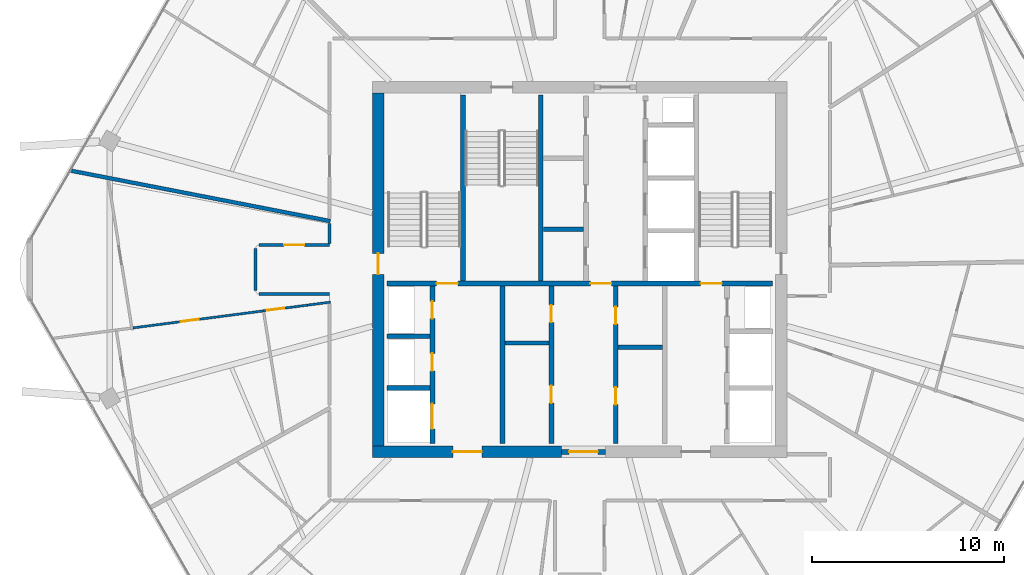
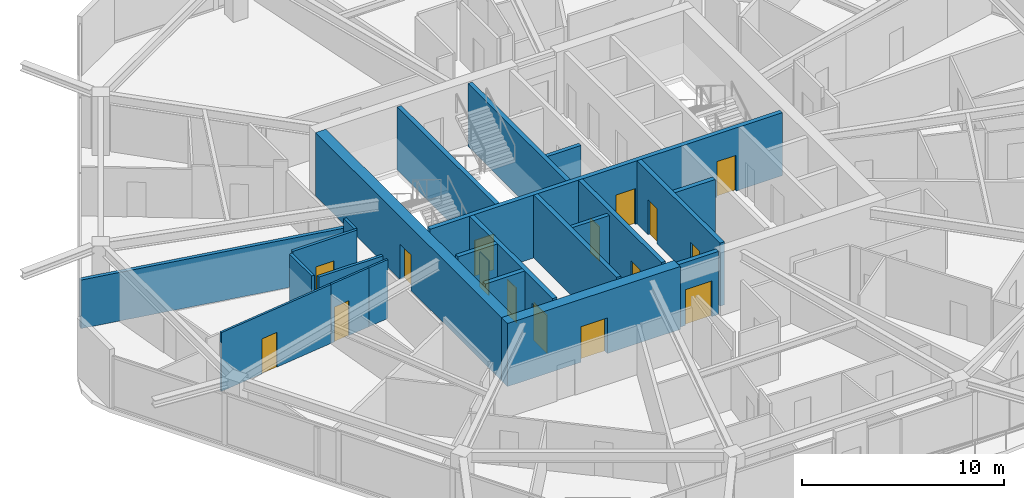
# One storey, part 20 of 26: 23 walls, 16 doors, 16 openings.
"""IFC4 building model written with IfcOpenShell, lengths in metres."""

import ifcopenshell
import ifcopenshell.guid

model = None  # the IFC model being written
_history = None  # IfcOwnerHistory: only IFC2X3 demands one
_inside = {}  # id of a spatial element -> (the spatial element, [elements in it])
_under = {}  # id of a project, library or spatial element -> (it, [spatial elements below it])
_declared = {}  # id of a project -> (the project, [libraries it declares])
_typed = {}  # id of a type object -> (the type object, [elements of that type])
_made_of = {}  # id of a material, layer set ... -> (it, [elements and type objects made of it])


def new_model(schema):
    """Start an empty IFC model of exactly this schema.

    Asked for "IFC4X3", IfcOpenShell would pick the latest addendum, in which some entities
    have other attributes; the version numbers below select the first issue.
    IFC2X3 requires an IfcOwnerHistory on every rooted entity: one is made here for all.
    """
    global model, _history
    if schema == "IFC4X3":
        model = ifcopenshell.file(schema_version=(4, 3, 0, 0))
    else:
        model = ifcopenshell.file(schema=schema)
    _inside.clear()
    _under.clear()
    _declared.clear()
    _typed.clear()
    _made_of.clear()
    _history = None
    if model.schema == "IFC2X3":
        org = make("IfcOrganization", Name="unknown")
        user = make(
            "IfcPersonAndOrganization",
            ThePerson=make("IfcPerson", FamilyName="unknown"),
            TheOrganization=org,
        )
        app = make(
            "IfcApplication",
            ApplicationDeveloper=org,
            Version="unknown",
            ApplicationFullName="unknown",
            ApplicationIdentifier="unknown",
        )
        _history = make(
            "IfcOwnerHistory",
            OwningUser=user,
            OwningApplication=app,
            ChangeAction="ADDED",
            CreationDate=0,
        )
    return model


def make(cls, **values):
    """One entity of the class cls with the attributes given. An attribute that is None is left unset."""
    return model.create_entity(
        cls, **{name: value for name, value in values.items() if value is not None}
    )


def rooted(cls, **values):
    """An entity with a GlobalId (a new one), such as an element, a storey or a relation."""
    return make(cls, GlobalId=ifcopenshell.guid.new(), OwnerHistory=_history, **values)


def si_unit(unit_type, name, prefix=None):
    """IfcSIUnit, for example si_unit("LENGTHUNIT", "METRE", prefix="MILLI")."""
    return make("IfcSIUnit", UnitType=unit_type, Prefix=prefix, Name=name)


def assignment(units):
    """IfcUnitAssignment: the units of a project."""
    return None if units is None else make("IfcUnitAssignment", Units=units)


def point(xyz):
    """IfcCartesianPoint."""
    return None if xyz is None else make("IfcCartesianPoint", Coordinates=xyz)


def direction(xyz):
    """IfcDirection."""
    return None if xyz is None else make("IfcDirection", DirectionRatios=xyz)


def frame(location, z_axis=None, x_axis=None):
    """IfcAxis2Placement3D, a coordinate frame: its origin and axes. An axis left out is left unset."""
    return make(
        "IfcAxis2Placement3D",
        Location=point(location),
        Axis=direction(z_axis),
        RefDirection=direction(x_axis),
    )


def frame_2d(location, x_axis=None):
    """IfcAxis2Placement2D, a coordinate frame in the plane: its origin and x axis."""
    return make(
        "IfcAxis2Placement2D", Location=point(location), RefDirection=direction(x_axis)
    )


def origin():
    """The frame at (0, 0, 0) with its axes left unset."""
    return frame((0.0, 0.0, 0.0))


def place(relative_to, where):
    """IfcLocalPlacement: puts the frame where relative to a parent placement (None: the world)."""
    return make(
        "IfcLocalPlacement", PlacementRelTo=relative_to, RelativePlacement=where
    )


def context(
    kind, dimensions, precision=None, world=None, true_north=None, identifier=None
):
    """IfcGeometricRepresentationContext, for example the 3D "Model" context."""
    return make(
        "IfcGeometricRepresentationContext",
        ContextIdentifier=identifier,
        ContextType=kind,
        CoordinateSpaceDimension=dimensions,
        Precision=precision,
        WorldCoordinateSystem=world,
        TrueNorth=true_north,
    )


def subcontext(parent, identifier, kind, view, scale=None):
    """IfcGeometricRepresentationSubContext, for example "Body" below "Model"."""
    return make(
        "IfcGeometricRepresentationSubContext",
        ContextIdentifier=identifier,
        ContextType=kind,
        ParentContext=parent,
        TargetScale=scale,
        TargetView=view,
    )


def project(units=None, contexts=None):
    """IfcProject with its units and contexts."""
    return rooted(
        "IfcProject",
        Name="project",
        RepresentationContexts=contexts,
        UnitsInContext=assignment(units),
    )


def spatial(cls, under=None, at=None, **own):
    """A site, building, storey or space (cls), placed at a placement, below another one or the project."""
    s = rooted(cls, ObjectPlacement=at, **own)
    if under is not None:
        _under.setdefault(under.id(), (under, []))[1].append(s)
    return s


def profile(cls, at=None, kind="AREA", **sizes):
    """A parametric profile (cls). Its sizes go by their IFC names, for example OverallWidth=200.0."""
    return make(cls, ProfileType=kind, Position=at, **sizes)


def rectangle(**sizes):
    """IfcRectangleProfileDef."""
    return profile("IfcRectangleProfileDef", **sizes)


def extrude(swept, where, along, depth):
    """IfcExtrudedAreaSolid: the profile swept, set in the frame where, extruded along a direction by depth."""
    return make(
        "IfcExtrudedAreaSolid",
        SweptArea=swept,
        Position=where,
        ExtrudedDirection=direction(along),
        Depth=depth,
    )


def shape(context_of_items, identifier, shape_type, items):
    """IfcShapeRepresentation: the items that make up one representation, for example the "Body"."""
    return make(
        "IfcShapeRepresentation",
        ContextOfItems=context_of_items,
        RepresentationIdentifier=identifier,
        RepresentationType=shape_type,
        Items=items,
    )


def material(Name=None, Category=None):
    """IfcMaterial."""
    return make("IfcMaterial", Name=Name, Category=Category)


def layer(
    of_material, thickness, ventilated=None, Name=None, Category=None, Priority=None
):
    """IfcMaterialLayer: one layer of a wall or slab, of a material (None: an air gap)."""
    return make(
        "IfcMaterialLayer",
        Material=of_material,
        LayerThickness=thickness,
        IsVentilated=ventilated,
        Name=Name,
        Category=Category,
        Priority=Priority,
    )


def layer_set(layers, Name=None):
    """IfcMaterialLayerSet."""
    return make("IfcMaterialLayerSet", MaterialLayers=layers, LayerSetName=Name)


def made_of(thing, what):
    """Note that an element or type object is made of a material, layer set ...; save() writes the relation."""
    if what is not None:
        _made_of.setdefault(what.id(), (what, []))[1].append(thing)
    return thing


def type_object(cls, material=None, **own):
    """A type object (cls), such as IfcWallType, which elements share."""
    return made_of(rooted(cls, **own), material)


def element(
    cls,
    number,
    at=None,
    inside=None,
    cuts=None,
    type_object=None,
    material=None,
    context=None,
    identifier="Body",
    shape_type=None,
    held_by="IfcProductDefinitionShape",
    body=None,
    shapes=None,
    **own,
):
    """One element of the class cls, such as IfcWall. Its Tag is "e" and its number.

    at: its placement. inside: the storey or other place that contains it. cuts: it is an
    opening in that element (IfcRelVoidsElement). A single representation is given by context,
    identifier, shape_type and body (its items); several are given by shapes. held_by: the class
    of the entity that holds the representations. save() writes the other relations.
    """
    e = rooted(cls, Tag="e%d" % number, ObjectPlacement=at, **own)
    if body is not None:
        shapes = [shape(context, identifier, shape_type, body)]
    if shapes is not None:
        e.Representation = make(held_by, Representations=shapes)
    if inside is not None:
        _inside.setdefault(inside.id(), (inside, []))[1].append(e)
    if cuts is not None:
        rooted(
            "IfcRelVoidsElement", RelatingBuildingElement=cuts, RelatedOpeningElement=e
        )
    if type_object is not None:
        _typed.setdefault(type_object.id(), (type_object, []))[1].append(e)
    return made_of(e, material)


def fill(opening, filler):
    """IfcRelFillsElement: the door or window that sits in an opening."""
    return rooted(
        "IfcRelFillsElement",
        RelatingOpeningElement=opening,
        RelatedBuildingElement=filler,
    )


def aggregate(whole, parts):
    """IfcRelAggregates: a whole, such as a stair, and the parts it consists of."""
    return rooted("IfcRelAggregates", RelatingObject=whole, RelatedObjects=parts)


def save(model, path):
    """Write the relations noted so far, then the file.

    IfcRelAggregates (storeys below a building ...), IfcRelContainedInSpatialStructure (elements
    in a storey), IfcRelDefinesByType, IfcRelAssociatesMaterial and IfcRelDeclares: one each for
    every whole, place, type object, material and project.
    """
    for whole, parts in _under.values():
        aggregate(whole, parts)
    for where, things in _inside.values():
        rooted(
            "IfcRelContainedInSpatialStructure",
            RelatedElements=things,
            RelatingStructure=where,
        )
    for kind, things in _typed.values():
        rooted("IfcRelDefinesByType", RelatedObjects=things, RelatingType=kind)
    for what, things in _made_of.values():
        rooted("IfcRelAssociatesMaterial", RelatedObjects=things, RelatingMaterial=what)
    for by, libraries in _declared.values():
        rooted("IfcRelDeclares", RelatingContext=by, RelatedDefinitions=libraries)
    model.write(path)


model = new_model("IFC4")

# Units and contexts
model_context = context("Model", 3, precision=1e-05, world=origin(), true_north=direction((0.0, 1.0)))
body_context = subcontext(model_context, "Body", "Model", "MODEL_VIEW")
ifc_project = project(units=[si_unit("LENGTHUNIT", "METRE"), si_unit("AREAUNIT", "SQUARE_METRE"), si_unit("VOLUMEUNIT", "CUBIC_METRE"), si_unit("PLANEANGLEUNIT", "RADIAN"), si_unit("MASSUNIT", "GRAM", prefix="KILO")], contexts=[model_context])

# Site, building, storey
site_placement = place(None, origin())
site = spatial("IfcSite", under=ifc_project, at=site_placement, CompositionType="ELEMENT")
building_placement = place(site_placement, origin())
building = spatial("IfcBuilding", under=site, at=building_placement, Name="Zuhravey Tower", CompositionType="ELEMENT")
storey_placement = place(building_placement, frame((0.0, 0.0, 288.199951171875)))
storey = spatial("IfcBuildingStorey", under=building, at=storey_placement, Name="L73", CompositionType="ELEMENT", Elevation=288.199951171875)

# Wall, opening, door
ifc_material_1 = material(Name="Concrete C50/60", Category="concrete")
ifc_layer_1 = layer(ifc_material_1, 0.60009765625)
ifc_layer_set_1 = layer_set([ifc_layer_1], Name="Concrete C50/60")
wall_type_1 = type_object("IfcWallType", Name="Core Shear Wall 600", PredefinedType="SHEAR", material=ifc_layer_set_1)
wall_1_placement = place(storey_placement, frame((25.199951171875, 22.5, 0.0), z_axis=(0.0, 0.0, 1.0), x_axis=(1.0, 0.0, 0.0)))
wall_1 = element("IfcWall", 1, at=wall_1_placement, inside=storey, type_object=wall_type_1, Name="L73 South-West Core Shear Wall CW60", PredefinedType="SHEAR", context=body_context, shape_type="SweptSolid", body=[
    extrude(rectangle(XDim=9.85009765625, YDim=0.60009765625, at=frame_2d((4.925048828125, 0.0))), origin(), (0.0, 0.0, 1.0), 3.800048828125),
])
opening_1_placement = place(wall_1_placement, frame((4.199951171875, 0.0, 0.0)))
opening_1 = element("IfcOpeningElement", 2, at=opening_1_placement, cuts=wall_1, Name="Opening FFD1", PredefinedType="OPENING", context=body_context, shape_type="SweptSolid", body=[
    extrude(rectangle(XDim=1.5, YDim=2.14990234375, at=frame_2d((0.75, 1.074951171875))), frame((0.0, 0.31201171875, 0.0), z_axis=(0.0, -1.0, 0.0), x_axis=(1.0, 0.0, 0.0)), (0.0, 0.0, 1.0), 0.6240234375),
])
ifc_material_2 = material(Name="Galvanised fire-rated steel leaf", Category="steel")
door_type_1 = type_object("IfcDoorType", Name="Firefighting Lobby Double Door 1500x2150", OperationType="DOUBLE_DOOR_SINGLE_SWING", PredefinedType="DOOR", material=ifc_material_2)
door_1_placement = place(opening_1_placement, origin())
door_1 = element("IfcDoor", 3, at=door_1_placement, inside=storey, type_object=door_type_1, Name="L73 Firefighting Lobby West Door", OperationType="DOUBLE_DOOR_SINGLE_SWING", OverallHeight=2.14990234375, OverallWidth=1.5, PredefinedType="DOOR", context=body_context, shape_type="SweptSolid", body=[
    extrude(rectangle(XDim=1.5, YDim=2.14990234375, at=frame_2d((0.75, 1.074951171875))), frame((0.0, 0.02490234375, 0.0), z_axis=(0.0, -1.0, 0.0), x_axis=(1.0, 0.0, 0.0)), (0.0, 0.0, 1.0), 0.050048828125),
])
fill(opening_1, door_1)

wall_2_placement = place(storey_placement, frame((25.5, 22.800048828125, 0.0), z_axis=(0.0, 0.0, 1.0), x_axis=(0.0, 1.0, 0.0)))
wall_2 = element("IfcWall", 4, at=wall_2_placement, inside=storey, type_object=wall_type_1, Name="L73 West Core Shear Wall CW60", PredefinedType="SHEAR", context=body_context, shape_type="SweptSolid", body=[
    extrude(rectangle(XDim=18.39990234375, YDim=0.60009765625, at=frame_2d((9.199951171875, 0.0))), origin(), (0.0, 0.0, 1.0), 3.800048828125),
])
opening_2_placement = place(wall_2_placement, frame((8.949951171875, 0.0, 0.0)))
opening_2 = element("IfcOpeningElement", 5, at=opening_2_placement, cuts=wall_2, Name="Opening STD1", PredefinedType="OPENING", context=body_context, shape_type="SweptSolid", body=[
    extrude(rectangle(XDim=1.10009765625, YDim=2.14990234375, at=frame_2d((0.550048828125, 1.074951171875))), frame((0.0, 0.31201171875, 0.0), z_axis=(0.0, -1.0, 0.0), x_axis=(1.0, 0.0, 0.0)), (0.0, 0.0, 1.0), 0.6240234375),
])
door_type_2 = type_object("IfcDoorType", Name="Protected Stair Fire Door 1100x2150", OperationType="NOTDEFINED", PredefinedType="USERDEFINED", material=ifc_material_2)
door_2_placement = place(opening_2_placement, frame((1.10009765625, 0.0, 0.0), z_axis=(0.0, 0.0, 1.0), x_axis=(-1.0, 0.0, 0.0)))
door_2 = element("IfcDoor", 6, at=door_2_placement, inside=storey, type_object=door_type_2, Name="L73 Stair ST1 Door", ObjectType="EXITDOOR", OperationType="SINGLE_SWING_LEFT", OverallHeight=2.14990234375, OverallWidth=1.10009765625, PredefinedType="USERDEFINED", context=body_context, shape_type="SweptSolid", body=[
    extrude(rectangle(XDim=1.10009765625, YDim=2.14990234375, at=frame_2d((0.550048828125, 1.074951171875))), frame((0.0, 0.02490234375, 0.0), z_axis=(0.0, -1.0, 0.0), x_axis=(1.0, 0.0, 0.0)), (0.0, 0.0, 1.0), 0.050048828125),
])
fill(opening_2, door_2)

ifc_material_3 = material(Name="Gypsum fire-rated stud partition")
ifc_layer_2 = layer(ifc_material_3, 0.159912109375)
ifc_layer_set_2 = layer_set([ifc_layer_2], Name="Gypsum fire-rated stud partition")
wall_type_2 = type_object("IfcWallType", Name="Corridor Fire Partition 160", PredefinedType="PARTITIONING", material=ifc_layer_set_2)
wall_3_placement = place(storey_placement, frame((22.969970703125, 33.280029296875, 0.0), z_axis=(0.0, 0.0, 1.0), x_axis=(-1.0, 0.0, 0.0)))
wall_3 = element("IfcWall", 7, at=wall_3_placement, inside=storey, type_object=wall_type_2, Name="L73 IW16 Partition 025", PredefinedType="PARTITIONING", context=body_context, shape_type="SweptSolid", body=[
    extrude(rectangle(XDim=3.669921875, YDim=0.159912109375, at=frame_2d((1.8349609375, 0.0))), origin(), (0.0, 0.0, 1.0), 3.550048828125),
])
opening_3_placement = place(wall_3_placement, frame((1.31005859375, 0.0, 0.0)))
opening_3 = element("IfcOpeningElement", 8, at=opening_3_placement, cuts=wall_3, Name="Opening APD1", PredefinedType="OPENING", context=body_context, shape_type="SweptSolid", body=[
    extrude(rectangle(XDim=1.050048828125, YDim=2.14990234375, at=frame_2d((0.52490234375, 1.074951171875))), frame((0.0, 0.092041015625, 0.0), z_axis=(0.0, -1.0, 0.0), x_axis=(1.0, 0.0, 0.0)), (0.0, 0.0, 1.0), 0.183837890625),
])
ifc_material_4 = material(Name="Solid-core oak fire-rated leaf")
door_type_3 = type_object("IfcDoorType", Name="Apartment Entrance Fire Door 1050x2150", OperationType="NOTDEFINED", PredefinedType="DOOR", material=ifc_material_4)
door_3_placement = place(opening_3_placement, origin())
door_3 = element("IfcDoor", 9, at=door_3_placement, inside=storey, type_object=door_type_3, Name="L73 Door 025.1", OperationType="SINGLE_SWING_RIGHT", OverallHeight=2.14990234375, OverallWidth=1.050048828125, PredefinedType="DOOR", context=body_context, shape_type="SweptSolid", body=[
    extrude(rectangle(XDim=1.050048828125, YDim=2.14990234375, at=frame_2d((0.52490234375, 1.074951171875))), frame((0.0, 0.02490234375, 0.0), z_axis=(0.0, -1.0, 0.0), x_axis=(1.0, 0.0, 0.0)), (0.0, 0.0, 1.0), 0.050048828125),
])
fill(opening_3, door_3)

# Walls
wall_4_placement = place(storey_placement, frame((19.300048828125, 30.719970703125, 0.0), z_axis=(0.0, 0.0, 1.0), x_axis=(1.0, 0.0, 0.0)))
element("IfcWall", 10, at=wall_4_placement, inside=storey, type_object=wall_type_2, Name="L73 IW16 Partition 110", PredefinedType="PARTITIONING", context=body_context, shape_type="SweptSolid", body=[
    extrude(rectangle(XDim=3.669921875, YDim=0.159912109375, at=frame_2d((1.8349609375, 0.0))), origin(), (0.0, 0.0, 1.0), 3.550048828125),
])
wall_5_placement = place(storey_placement, frame((19.1201171875, 33.10009765625, 0.0), z_axis=(0.0, 0.0, 1.0), x_axis=(0.0, -1.0, 0.0)))
element("IfcWall", 11, at=wall_5_placement, inside=storey, type_object=wall_type_2, Name="L73 IW16 Partition 111", PredefinedType="PARTITIONING", context=body_context, shape_type="SweptSolid", body=[
    extrude(rectangle(XDim=2.2001953125, YDim=0.159912109375, at=frame_2d((1.10009765625, 0.0))), origin(), (0.0, 0.0, 1.0), 3.550048828125),
])
wall_6_placement = place(storey_placement, frame((22.969970703125, 34.39453125, 0.0), z_axis=(0.0, 0.0, 1.0), x_axis=(0.0, -1.0, 0.0)))
element("IfcWall", 12, at=wall_6_placement, inside=storey, type_object=wall_type_2, Name="L73 IW16 Partition 112", PredefinedType="PARTITIONING", context=body_context, shape_type="SweptSolid", body=[
    extrude(rectangle(XDim=1.026611328125, YDim=0.159912109375, at=frame_2d((0.51318359375, 0.0))), origin(), (0.0, 0.0, 1.0), 3.550048828125),
])

# Wall, opening, door
ifc_layer_3 = layer(ifc_material_1, 0.25)
ifc_layer_set_3 = layer_set([ifc_layer_3], Name="Concrete C50/60")
wall_type_3 = type_object("IfcWallType", Name="Firefighting Shaft & Stair Wall 250", PredefinedType="SOLIDWALL", material=ifc_layer_set_3)
wall_7_placement = place(storey_placement, frame((35.06005859375, 22.5, 0.0), z_axis=(0.0, 0.0, 1.0), x_axis=(1.0, 0.0, 0.0)))
wall_7 = element("IfcWall", 13, at=wall_7_placement, inside=storey, type_object=wall_type_3, Name="L73 FW25 Shaft Wall 001", PredefinedType="SOLIDWALL", context=body_context, shape_type="SweptSolid", body=[
    extrude(rectangle(XDim=2.280029296875, YDim=0.25, at=frame_2d((1.14013671875, 0.0))), origin(), (0.0, 0.0, 1.0), 3.800048828125),
])
opening_4_placement = place(wall_7_placement, frame((0.389892578125, 0.0, 0.0)))
opening_4 = element("IfcOpeningElement", 14, at=opening_4_placement, cuts=wall_7, Name="Opening FFD1", PredefinedType="OPENING", context=body_context, shape_type="SweptSolid", body=[
    extrude(rectangle(XDim=1.5, YDim=2.14990234375, at=frame_2d((0.75, 1.074951171875))), frame((0.0, 0.136962890625, 0.0), z_axis=(0.0, -1.0, 0.0), x_axis=(1.0, 0.0, 0.0)), (0.0, 0.0, 1.0), 0.27392578125),
])
door_4_placement = place(opening_4_placement, frame((1.5, 0.0, 0.0), z_axis=(0.0, 0.0, 1.0), x_axis=(-1.0, 0.0, 0.0)))
door_4 = element("IfcDoor", 15, at=door_4_placement, inside=storey, type_object=door_type_1, Name="L73 South Lift Lobby Exit Door", OperationType="DOUBLE_DOOR_SINGLE_SWING", OverallHeight=2.14990234375, OverallWidth=1.5, PredefinedType="DOOR", context=body_context, shape_type="SweptSolid", body=[
    extrude(rectangle(XDim=1.5, YDim=2.14990234375, at=frame_2d((0.75, 1.074951171875))), frame((0.0, 0.02490234375, 0.0), z_axis=(0.0, -1.0, 0.0), x_axis=(1.0, 0.0, 0.0)), (0.0, 0.0, 1.0), 0.050048828125),
])
fill(opening_4, door_4)

# Wall, openings, doors
wall_8_placement = place(storey_placement, frame((25.949951171875, 31.27490234375, 0.0), z_axis=(0.0, 0.0, 1.0), x_axis=(1.0, 0.0, 0.0)))
wall_8 = element("IfcWall", 16, at=wall_8_placement, inside=storey, type_object=wall_type_3, Name="L73 FW25 Shaft Wall 003", PredefinedType="SOLIDWALL", context=body_context, shape_type="SweptSolid", body=[
    extrude(rectangle(XDim=20.10009765625, YDim=0.25, at=frame_2d((10.050048828125, 0.0))), origin(), (0.0, 0.0, 1.0), 3.800048828125),
])
opening_5_placement = place(wall_8_placement, frame((2.60009765625, 0.0, 0.0)))
opening_5 = element("IfcOpeningElement", 17, at=opening_5_placement, cuts=wall_8, Name="Opening STD1", PredefinedType="OPENING", context=body_context, shape_type="SweptSolid", body=[
    extrude(rectangle(XDim=1.10009765625, YDim=2.14990234375, at=frame_2d((0.550048828125, 1.074951171875))), frame((0.0, 0.136962890625, 0.0), z_axis=(0.0, -1.0, 0.0), x_axis=(1.0, 0.0, 0.0)), (0.0, 0.0, 1.0), 0.27392578125),
])
opening_6_placement = place(wall_8_placement, frame((10.60009765625, 0.0, 0.0)))
opening_6 = element("IfcOpeningElement", 18, at=opening_6_placement, cuts=wall_8, Name="Opening STD1", PredefinedType="OPENING", context=body_context, shape_type="SweptSolid", body=[
    extrude(rectangle(XDim=1.10009765625, YDim=2.14990234375, at=frame_2d((0.550048828125, 1.074951171875))), frame((0.0, 0.136962890625, 0.0), z_axis=(0.0, -1.0, 0.0), x_axis=(1.0, 0.0, 0.0)), (0.0, 0.0, 1.0), 0.27392578125),
])
opening_7_placement = place(wall_8_placement, frame((16.35009765625, 0.0, 0.0)))
opening_7 = element("IfcOpeningElement", 19, at=opening_7_placement, cuts=wall_8, Name="Opening STD1", PredefinedType="OPENING", context=body_context, shape_type="SweptSolid", body=[
    extrude(rectangle(XDim=1.10009765625, YDim=2.14990234375, at=frame_2d((0.550048828125, 1.074951171875))), frame((0.0, 0.136962890625, 0.0), z_axis=(0.0, -1.0, 0.0), x_axis=(1.0, 0.0, 0.0)), (0.0, 0.0, 1.0), 0.27392578125),
])
door_5_placement = place(opening_5_placement, origin())
door_5 = element("IfcDoor", 20, at=door_5_placement, inside=storey, type_object=door_type_2, Name="L73 FFL-W to ST1 Door", ObjectType="EXITDOOR", OperationType="SINGLE_SWING_RIGHT", OverallHeight=2.14990234375, OverallWidth=1.10009765625, PredefinedType="USERDEFINED", context=body_context, shape_type="SweptSolid", body=[
    extrude(rectangle(XDim=1.10009765625, YDim=2.14990234375, at=frame_2d((0.550048828125, 1.074951171875))), frame((0.0, 0.02490234375, 0.0), z_axis=(0.0, -1.0, 0.0), x_axis=(1.0, 0.0, 0.0)), (0.0, 0.0, 1.0), 0.050048828125),
])
fill(opening_5, door_5)
door_6_placement = place(opening_6_placement, origin())
door_6 = element("IfcDoor", 21, at=door_6_placement, inside=storey, type_object=door_type_2, Name="L73 Core Lobby Link Door", ObjectType="EXITDOOR", OperationType="SINGLE_SWING_LEFT", OverallHeight=2.14990234375, OverallWidth=1.10009765625, PredefinedType="USERDEFINED", context=body_context, shape_type="SweptSolid", body=[
    extrude(rectangle(XDim=1.10009765625, YDim=2.14990234375, at=frame_2d((0.550048828125, 1.074951171875))), frame((0.0, 0.02490234375, 0.0), z_axis=(0.0, -1.0, 0.0), x_axis=(1.0, 0.0, 0.0)), (0.0, 0.0, 1.0), 0.050048828125),
])
fill(opening_6, door_6)
door_7_placement = place(opening_7_placement, origin())
door_7 = element("IfcDoor", 22, at=door_7_placement, inside=storey, type_object=door_type_2, Name="L73 FFL-E to ST2 Door", ObjectType="EXITDOOR", OperationType="SINGLE_SWING_RIGHT", OverallHeight=2.14990234375, OverallWidth=1.10009765625, PredefinedType="USERDEFINED", context=body_context, shape_type="SweptSolid", body=[
    extrude(rectangle(XDim=1.10009765625, YDim=2.14990234375, at=frame_2d((0.550048828125, 1.074951171875))), frame((0.0, 0.02490234375, 0.0), z_axis=(0.0, -1.0, 0.0), x_axis=(1.0, 0.0, 0.0)), (0.0, 0.0, 1.0), 0.050048828125),
])
fill(opening_7, door_7)

# Walls
for number, where, z_axis, x_axis, name in (
    (23, (29.925048828125, 31.39990234375, 0.0), (0.0, 0.0, 1.0), (0.0, 1.0, 0.0), "L73 FW25 Shaft Wall 004"),
    (24, (33.97509765625, 31.39990234375, 0.0), (0.0, 0.0, 1.0), (0.0, 1.0, 0.0), "L73 FW25 Shaft Wall 005"),
):
    element("IfcWall", number, at=place(storey_placement, frame(where, z_axis=z_axis, x_axis=x_axis)), inside=storey, type_object=wall_type_3, Name=name, PredefinedType="SOLIDWALL", context=body_context, shape_type="SweptSolid", body=[
        extrude(rectangle(XDim=9.7001953125, YDim=0.25, at=frame_2d((4.85009765625, 0.0))), origin(), (0.0, 0.0, 1.0), 3.800048828125),
    ])
for number, where, z_axis, x_axis, name in (
    (25, (25.949951171875, 25.824951171875, 0.0), (0.0, 0.0, 1.0), (1.0, 0.0, 0.0), "L73 FW25 Shaft Wall 009"),
    (26, (25.949951171875, 28.52490234375, 0.0), (0.0, 0.0, 1.0), (1.0, 0.0, 0.0), "L73 FW25 Shaft Wall 010"),
):
    element("IfcWall", number, at=place(storey_placement, frame(where, z_axis=z_axis, x_axis=x_axis)), inside=storey, type_object=wall_type_3, Name=name, PredefinedType="SOLIDWALL", context=body_context, shape_type="SweptSolid", body=[
        extrude(rectangle(XDim=2.25, YDim=0.25, at=frame_2d((1.125, 0.0))), origin(), (0.0, 0.0, 1.0), 3.800048828125),
    ])

# Wall, openings, doors
wall_9_placement = place(storey_placement, frame((28.324951171875, 22.949951171875, 0.0), z_axis=(0.0, 0.0, 1.0), x_axis=(0.0, 1.0, 0.0)))
wall_9 = element("IfcWall", 27, at=wall_9_placement, inside=storey, type_object=wall_type_3, Name="L73 FW25 Shaft Wall 011", PredefinedType="SOLIDWALL", context=body_context, shape_type="SweptSolid", body=[
    extrude(rectangle(XDim=8.199951171875, YDim=0.25, at=frame_2d((4.10009765625, 0.0))), origin(), (0.0, 0.0, 1.0), 3.800048828125),
])
opening_8_placement = place(wall_9_placement, frame((0.75, 0.0, 0.0)))
opening_8 = element("IfcOpeningElement", 28, at=opening_8_placement, cuts=wall_9, Name="Opening LD2", PredefinedType="OPENING", context=body_context, shape_type="SweptSolid", body=[
    extrude(rectangle(XDim=1.300048828125, YDim=2.300048828125, at=frame_2d((0.64990234375, 1.14990234375))), frame((0.0, 0.136962890625, 0.0), z_axis=(0.0, -1.0, 0.0), x_axis=(1.0, 0.0, 0.0)), (0.0, 0.0, 1.0), 0.27392578125),
])
opening_9_placement = place(wall_9_placement, frame((3.780029296875, 0.0, 0.0)))
opening_9 = element("IfcOpeningElement", 29, at=opening_9_placement, cuts=wall_9, Name="Opening RSD1", PredefinedType="OPENING", context=body_context, shape_type="SweptSolid", body=[
    extrude(rectangle(XDim=0.89990234375, YDim=2.10009765625, at=frame_2d((0.449951171875, 1.050048828125))), frame((0.0, 0.136962890625, 0.0), z_axis=(0.0, -1.0, 0.0), x_axis=(1.0, 0.0, 0.0)), (0.0, 0.0, 1.0), 0.27392578125),
])
opening_10_placement = place(wall_9_placement, frame((6.5, 0.0, 0.0)))
opening_10 = element("IfcOpeningElement", 30, at=opening_10_placement, cuts=wall_9, Name="Opening RSD1", PredefinedType="OPENING", context=body_context, shape_type="SweptSolid", body=[
    extrude(rectangle(XDim=0.89990234375, YDim=2.10009765625, at=frame_2d((0.449951171875, 1.050048828125))), frame((0.0, 0.136962890625, 0.0), z_axis=(0.0, -1.0, 0.0), x_axis=(1.0, 0.0, 0.0)), (0.0, 0.0, 1.0), 0.27392578125),
])
ifc_material_5 = material(Name="Brushed stainless steel", Category="steel")
door_type_4 = type_object("IfcDoorType", Name="Freight & Stretcher Lift Sliding Door 1300x2300", OperationType="DOUBLE_DOOR_SLIDING", PredefinedType="DOOR", material=ifc_material_5)
door_8_placement = place(opening_8_placement, frame((1.300048828125, 0.0, 0.0), z_axis=(0.0, 0.0, 1.0), x_axis=(-1.0, 0.0, 0.0)))
door_8 = element("IfcDoor", 31, at=door_8_placement, inside=storey, type_object=door_type_4, Name="L73 Lift FF1 Landing Door", OperationType="DOUBLE_DOOR_SLIDING", OverallHeight=2.300048828125, OverallWidth=1.300048828125, PredefinedType="DOOR", context=body_context, shape_type="SweptSolid", body=[
    extrude(rectangle(XDim=1.300048828125, YDim=2.300048828125, at=frame_2d((0.64990234375, 1.14990234375))), frame((0.0, 0.02490234375, 0.0), z_axis=(0.0, -1.0, 0.0), x_axis=(1.0, 0.0, 0.0)), (0.0, 0.0, 1.0), 0.050048828125),
])
fill(opening_8, door_8)
ifc_material_6 = material(Name="Galvanised fire-rated steel access leaf", Category="steel")
door_type_5 = type_object("IfcDoorType", Name="Riser & Shaft Access Fire Door 900x2100", OperationType="NOTDEFINED", PredefinedType="DOOR", material=ifc_material_6)
door_9_placement = place(opening_9_placement, frame((0.89990234375, 0.0, 0.0), z_axis=(0.0, 0.0, 1.0), x_axis=(-1.0, 0.0, 0.0)))
door_9 = element("IfcDoor", 32, at=door_9_placement, inside=storey, type_object=door_type_5, Name="L73 Electrical Riser Door", OperationType="SINGLE_SWING_LEFT", OverallHeight=2.10009765625, OverallWidth=0.89990234375, PredefinedType="DOOR", context=body_context, shape_type="SweptSolid", body=[
    extrude(rectangle(XDim=0.89990234375, YDim=2.10009765625, at=frame_2d((0.449951171875, 1.050048828125))), frame((0.0, 0.02490234375, 0.0), z_axis=(0.0, -1.0, 0.0), x_axis=(1.0, 0.0, 0.0)), (0.0, 0.0, 1.0), 0.050048828125),
])
fill(opening_9, door_9)
door_10_placement = place(opening_10_placement, frame((0.89990234375, 0.0, 0.0), z_axis=(0.0, 0.0, 1.0), x_axis=(-1.0, 0.0, 0.0)))
door_10 = element("IfcDoor", 33, at=door_10_placement, inside=storey, type_object=door_type_5, Name="L73 Smoke Shaft Access Door", OperationType="SINGLE_SWING_RIGHT", OverallHeight=2.10009765625, OverallWidth=0.89990234375, PredefinedType="DOOR", context=body_context, shape_type="SweptSolid", body=[
    extrude(rectangle(XDim=0.89990234375, YDim=2.10009765625, at=frame_2d((0.449951171875, 1.050048828125))), frame((0.0, 0.02490234375, 0.0), z_axis=(0.0, -1.0, 0.0), x_axis=(1.0, 0.0, 0.0)), (0.0, 0.0, 1.0), 0.050048828125),
])
fill(opening_10, door_10)

# Wall
wall_10_placement = place(storey_placement, frame((31.97509765625, 22.949951171875, 0.0), z_axis=(0.0, 0.0, 1.0), x_axis=(0.0, 1.0, 0.0)))
element("IfcWall", 34, at=wall_10_placement, inside=storey, type_object=wall_type_3, Name="L73 FW25 Shaft Wall 012", PredefinedType="SOLIDWALL", context=body_context, shape_type="SweptSolid", body=[
    extrude(rectangle(XDim=8.199951171875, YDim=0.25, at=frame_2d((4.10009765625, 0.0))), origin(), (0.0, 0.0, 1.0), 3.800048828125),
])

# Wall, openings, doors
wall_11_placement = place(storey_placement, frame((34.52490234375, 22.949951171875, 0.0), z_axis=(0.0, 0.0, 1.0), x_axis=(0.0, 1.0, 0.0)))
wall_11 = element("IfcWall", 35, at=wall_11_placement, inside=storey, type_object=wall_type_3, Name="L73 FW25 Shaft Wall 013", PredefinedType="SOLIDWALL", context=body_context, shape_type="SweptSolid", body=[
    extrude(rectangle(XDim=8.199951171875, YDim=0.25, at=frame_2d((4.10009765625, 0.0))), origin(), (0.0, 0.0, 1.0), 3.800048828125),
])
opening_11_placement = place(wall_11_placement, frame((2.10009765625, 0.0, 0.0)))
opening_11 = element("IfcOpeningElement", 36, at=opening_11_placement, cuts=wall_11, Name="Opening RSD1", PredefinedType="OPENING", context=body_context, shape_type="SweptSolid", body=[
    extrude(rectangle(XDim=0.89990234375, YDim=2.10009765625, at=frame_2d((0.449951171875, 1.050048828125))), frame((0.0, 0.136962890625, 0.0), z_axis=(0.0, -1.0, 0.0), x_axis=(1.0, 0.0, 0.0)), (0.0, 0.0, 1.0), 0.27392578125),
])
opening_12_placement = place(wall_11_placement, frame((6.300048828125, 0.0, 0.0)))
opening_12 = element("IfcOpeningElement", 37, at=opening_12_placement, cuts=wall_11, Name="Opening RSD1", PredefinedType="OPENING", context=body_context, shape_type="SweptSolid", body=[
    extrude(rectangle(XDim=0.89990234375, YDim=2.10009765625, at=frame_2d((0.449951171875, 1.050048828125))), frame((0.0, 0.136962890625, 0.0), z_axis=(0.0, -1.0, 0.0), x_axis=(1.0, 0.0, 0.0)), (0.0, 0.0, 1.0), 0.27392578125),
])
door_11_placement = place(opening_11_placement, origin())
door_11 = element("IfcDoor", 38, at=door_11_placement, inside=storey, type_object=door_type_5, Name="L73 Housekeeping Store Door", OperationType="SINGLE_SWING_LEFT", OverallHeight=2.10009765625, OverallWidth=0.89990234375, PredefinedType="DOOR", context=body_context, shape_type="SweptSolid", body=[
    extrude(rectangle(XDim=0.89990234375, YDim=2.10009765625, at=frame_2d((0.449951171875, 1.050048828125))), frame((0.0, 0.02490234375, 0.0), z_axis=(0.0, -1.0, 0.0), x_axis=(1.0, 0.0, 0.0)), (0.0, 0.0, 1.0), 0.050048828125),
])
fill(opening_11, door_11)
door_12_placement = place(opening_12_placement, origin())
door_12 = element("IfcDoor", 39, at=door_12_placement, inside=storey, type_object=door_type_5, Name="L73 Comms Closet Door", OperationType="SINGLE_SWING_RIGHT", OverallHeight=2.10009765625, OverallWidth=0.89990234375, PredefinedType="DOOR", context=body_context, shape_type="SweptSolid", body=[
    extrude(rectangle(XDim=0.89990234375, YDim=2.10009765625, at=frame_2d((0.449951171875, 1.050048828125))), frame((0.0, 0.02490234375, 0.0), z_axis=(0.0, -1.0, 0.0), x_axis=(1.0, 0.0, 0.0)), (0.0, 0.0, 1.0), 0.050048828125),
])
fill(opening_12, door_12)

# Wall
wall_12_placement = place(storey_placement, frame((38.0, 27.949951171875, 0.0), z_axis=(0.0, 0.0, 1.0), x_axis=(1.0, 0.0, 0.0)))
element("IfcWall", 40, at=wall_12_placement, inside=storey, type_object=wall_type_3, Name="L73 FW25 Shaft Wall 014", PredefinedType="SOLIDWALL", context=body_context, shape_type="SweptSolid", body=[
    extrude(rectangle(XDim=2.300048828125, YDim=0.25, at=frame_2d((1.14990234375, 0.0))), origin(), (0.0, 0.0, 1.0), 3.800048828125),
])

# Wall, openings, doors
wall_13_placement = place(storey_placement, frame((37.875, 22.949951171875, 0.0), z_axis=(0.0, 0.0, 1.0), x_axis=(0.0, 1.0, 0.0)))
wall_13 = element("IfcWall", 41, at=wall_13_placement, inside=storey, type_object=wall_type_3, Name="L73 FW25 Shaft Wall 015", PredefinedType="SOLIDWALL", context=body_context, shape_type="SweptSolid", body=[
    extrude(rectangle(XDim=8.199951171875, YDim=0.25, at=frame_2d((4.10009765625, 0.0))), origin(), (0.0, 0.0, 1.0), 3.800048828125),
])
opening_13_placement = place(wall_13_placement, frame((2.012451171875, 0.0, 0.0)))
opening_13 = element("IfcOpeningElement", 42, at=opening_13_placement, cuts=wall_13, Name="Opening RSD1", PredefinedType="OPENING", context=body_context, shape_type="SweptSolid", body=[
    extrude(rectangle(XDim=0.89990234375, YDim=2.10009765625, at=frame_2d((0.449951171875, 1.050048828125))), frame((0.0, 0.136962890625, 0.0), z_axis=(0.0, -1.0, 0.0), x_axis=(1.0, 0.0, 0.0)), (0.0, 0.0, 1.0), 0.27392578125),
])
opening_14_placement = place(wall_13_placement, frame((6.21240234375, 0.0, 0.0)))
opening_14 = element("IfcOpeningElement", 43, at=opening_14_placement, cuts=wall_13, Name="Opening RSD1", PredefinedType="OPENING", context=body_context, shape_type="SweptSolid", body=[
    extrude(rectangle(XDim=0.89990234375, YDim=2.10009765625, at=frame_2d((0.449951171875, 1.050048828125))), frame((0.0, 0.136962890625, 0.0), z_axis=(0.0, -1.0, 0.0), x_axis=(1.0, 0.0, 0.0)), (0.0, 0.0, 1.0), 0.27392578125),
])
door_13_placement = place(opening_13_placement, frame((0.89990234375, 0.0, 0.0), z_axis=(0.0, 0.0, 1.0), x_axis=(-1.0, 0.0, 0.0)))
door_13 = element("IfcDoor", 44, at=door_13_placement, inside=storey, type_object=door_type_5, Name="L73 Trunk Store Door", OperationType="SINGLE_SWING_LEFT", OverallHeight=2.10009765625, OverallWidth=0.89990234375, PredefinedType="DOOR", context=body_context, shape_type="SweptSolid", body=[
    extrude(rectangle(XDim=0.89990234375, YDim=2.10009765625, at=frame_2d((0.449951171875, 1.050048828125))), frame((0.0, 0.02490234375, 0.0), z_axis=(0.0, -1.0, 0.0), x_axis=(1.0, 0.0, 0.0)), (0.0, 0.0, 1.0), 0.050048828125),
])
fill(opening_13, door_13)
door_14_placement = place(opening_14_placement, frame((0.89990234375, 0.0, 0.0), z_axis=(0.0, 0.0, 1.0), x_axis=(-1.0, 0.0, 0.0)))
door_14 = element("IfcDoor", 45, at=door_14_placement, inside=storey, type_object=door_type_5, Name="L73 Fiber Room Door", OperationType="SINGLE_SWING_RIGHT", OverallHeight=2.10009765625, OverallWidth=0.89990234375, PredefinedType="DOOR", context=body_context, shape_type="SweptSolid", body=[
    extrude(rectangle(XDim=0.89990234375, YDim=2.10009765625, at=frame_2d((0.449951171875, 1.050048828125))), frame((0.0, 0.02490234375, 0.0), z_axis=(0.0, -1.0, 0.0), x_axis=(1.0, 0.0, 0.0)), (0.0, 0.0, 1.0), 0.050048828125),
])
fill(opening_14, door_14)

# Walls
ifc_material_7 = material(Name="Gypsum double-stud party assembly")
ifc_layer_4 = layer(ifc_material_7, 0.199951171875)
ifc_layer_set_4 = layer_set([ifc_layer_4], Name="Gypsum double-stud party assembly")
wall_type_4 = type_object("IfcWallType", Name="Inter-Tenancy Party Wall 200", PredefinedType="PARTITIONING", material=ifc_layer_set_4)
wall_14_placement = place(storey_placement, frame((23.010009765625, 34.52490234375, 0.0), z_axis=(0.0, 0.0, 1.0), x_axis=(-0.981627538439, 0.190807169093, 0.0)))
element("IfcWall", 46, at=wall_14_placement, inside=storey, type_object=wall_type_4, Name="L73 IW20 Partition 071", PredefinedType="PARTITIONING", context=body_context, shape_type="SweptSolid", body=[
    extrude(rectangle(XDim=13.803466796875, YDim=0.199951171875, at=frame_2d((6.90185546875, 0.0))), origin(), (0.0, 0.0, 1.0), 2.929931640625),
])
ifc_material_8 = material(Name="Gypsum acoustic stud assembly")
ifc_layer_5 = layer(ifc_material_8, 0.219970703125)
ifc_layer_set_5 = layer_set([ifc_layer_5], Name="Gypsum acoustic stud assembly")
wall_type_5 = type_object("IfcWallType", Name="School Acoustic Compartment Wall 220", PredefinedType="PARTITIONING", material=ifc_layer_set_5)
wall_15_placement = place(storey_placement, frame((34.10791015625, 34.10009765625, 0.0), z_axis=(0.0, 0.0, 1.0), x_axis=(1.0, 0.0, 0.0)))
element("IfcWall", 47, at=wall_15_placement, inside=storey, type_object=wall_type_5, Name="L73 IW22 Partition 065", PredefinedType="PARTITIONING", context=body_context, shape_type="SweptSolid", body=[
    extrude(rectangle(XDim=2.083984375, YDim=0.219970703125, at=frame_2d((1.0419921875, 0.0))), origin(), (0.0, 0.0, 1.0), 3.550048828125),
])
wall_16_placement = place(storey_placement, frame((32.10791015625, 28.175048828125, 0.0), z_axis=(0.0, 0.0, 1.0), x_axis=(1.0, 0.0, 0.0)))
element("IfcWall", 48, at=wall_16_placement, inside=storey, type_object=wall_type_5, Name="L73 IW22 Partition 070", PredefinedType="PARTITIONING", context=body_context, shape_type="SweptSolid", body=[
    extrude(rectangle(XDim=2.2841796875, YDim=0.219970703125, at=frame_2d((1.14208984375, 0.0))), origin(), (0.0, 0.0, 1.0), 3.550048828125),
])

# Wall, opening, door
ifc_material_9 = material(Name="Gypsum metal-stud partition")
ifc_layer_6 = layer(ifc_material_9, 0.1201171875)
ifc_layer_set_6 = layer_set([ifc_layer_6], Name="Gypsum metal-stud partition")
wall_type_6 = type_object("IfcWallType", Name="Unit Internal Partition 120", PredefinedType="PARTITIONING", material=ifc_layer_set_6)
wall_17_placement = place(storey_placement, frame((21.833251953125, 30.14990234375, 0.0), z_axis=(0.0, 0.0, 1.0), x_axis=(-0.991584748444, -0.129459208454, 0.0)))
wall_17 = element("IfcWall", 49, at=wall_17_placement, inside=storey, type_object=wall_type_6, Name="L73 IW12 Partition 021", PredefinedType="PARTITIONING", context=body_context, shape_type="SweptSolid", body=[
    extrude(rectangle(XDim=2.347900390625, YDim=0.1201171875, at=frame_2d((1.173828125, 0.0))), origin(), (0.0, 0.0, 1.0), 3.550048828125),
])
opening_15_placement = place(wall_17_placement, frame((1.240478515625, 0.0, 0.0)))
opening_15 = element("IfcOpeningElement", 50, at=opening_15_placement, cuts=wall_17, Name="Opening WCD1", PredefinedType="OPENING", context=body_context, shape_type="SweptSolid", body=[
    extrude(rectangle(XDim=0.89990234375, YDim=2.10009765625, at=frame_2d((0.449951171875, 1.050048828125))), frame((0.0, 0.072021484375, 0.0), z_axis=(0.0, -1.0, 0.0), x_axis=(1.0, 0.0, 0.0)), (0.0, 0.0, 1.0), 0.14404296875),
])
ifc_material_10 = material(Name="Moisture-resistant timber leaf", Category="wood")
door_type_6 = type_object("IfcDoorType", Name="Bathroom & WC Internal Door 900x2100", OperationType="NOTDEFINED", PredefinedType="DOOR", material=ifc_material_10)
door_15_placement = place(opening_15_placement, origin())
door_15 = element("IfcDoor", 51, at=door_15_placement, inside=storey, type_object=door_type_6, Name="Apartment L73-01 Bathroom Door", OperationType="SINGLE_SWING_LEFT", OverallHeight=2.10009765625, OverallWidth=0.89990234375, PredefinedType="DOOR", context=body_context, shape_type="SweptSolid", body=[
    extrude(rectangle(XDim=0.89990234375, YDim=2.10009765625, at=frame_2d((0.449951171875, 1.050048828125))), frame((0.0, 0.02490234375, 0.0), z_axis=(0.0, -1.0, 0.0), x_axis=(1.0, 0.0, 0.0)), (0.0, 0.0, 1.0), 0.050048828125),
])
fill(opening_15, door_15)

wall_18_placement = place(storey_placement, frame((19.505126953125, 29.845947265625, 0.0), z_axis=(0.0, 0.0, 1.0), x_axis=(-0.99158264657, -0.129475306608, 0.0)))
wall_18 = element("IfcWall", 52, at=wall_18_placement, inside=storey, type_object=wall_type_6, Name="L73 IW12 Partition 022", PredefinedType="PARTITIONING", context=body_context, shape_type="SweptSolid", body=[
    extrude(rectangle(XDim=6.823974609375, YDim=0.1201171875, at=frame_2d((3.412109375, 0.0))), origin(), (0.0, 0.0, 1.0), 3.550048828125),
])
opening_16_placement = place(wall_18_placement, frame((3.36767578125, 0.0, 0.0)))
opening_16 = element("IfcOpeningElement", 53, at=opening_16_placement, cuts=wall_18, Name="Opening IND1", PredefinedType="OPENING", context=body_context, shape_type="SweptSolid", body=[
    extrude(rectangle(XDim=0.949951171875, YDim=2.10009765625, at=frame_2d((0.47509765625, 1.050048828125))), frame((0.0, 0.072021484375, 0.0), z_axis=(0.0, -1.0, 0.0), x_axis=(1.0, 0.0, 0.0)), (0.0, 0.0, 1.0), 0.14404296875),
])
ifc_material_11 = material(Name="Painted engineered timber leaf", Category="wood")
door_type_7 = type_object("IfcDoorType", Name="Internal Room & Bedroom Door 950x2100", OperationType="NOTDEFINED", PredefinedType="DOOR", material=ifc_material_11)
door_16_placement = place(opening_16_placement, origin())
door_16 = element("IfcDoor", 54, at=door_16_placement, inside=storey, type_object=door_type_7, Name="Apartment L73-01 Home Office Door", OperationType="SINGLE_SWING_RIGHT", OverallHeight=2.10009765625, OverallWidth=0.949951171875, PredefinedType="DOOR", context=body_context, shape_type="SweptSolid", body=[
    extrude(rectangle(XDim=0.949951171875, YDim=2.10009765625, at=frame_2d((0.47509765625, 1.050048828125))), frame((0.0, 0.02490234375, 0.0), z_axis=(0.0, -1.0, 0.0), x_axis=(1.0, 0.0, 0.0)), (0.0, 0.0, 1.0), 0.050048828125),
])
fill(opening_16, door_16)

# Wall
wall_19_placement = place(storey_placement, frame((23.014892578125, 30.30419921875, 0.0), z_axis=(0.0, 0.0, 1.0), x_axis=(-0.991582122711, -0.129479318503, 0.0)))
element("IfcWall", 55, at=wall_19_placement, inside=storey, type_object=wall_type_6, Name="L73 IW12 Partition 072", PredefinedType="PARTITIONING", context=body_context, shape_type="SweptSolid", body=[
    extrude(rectangle(XDim=1.191650390625, YDim=0.1201171875, at=frame_2d((0.595703125, 0.0))), origin(), (0.0, 0.0, 1.0), 3.550048828125),
])

save(model, "model.ifc")
